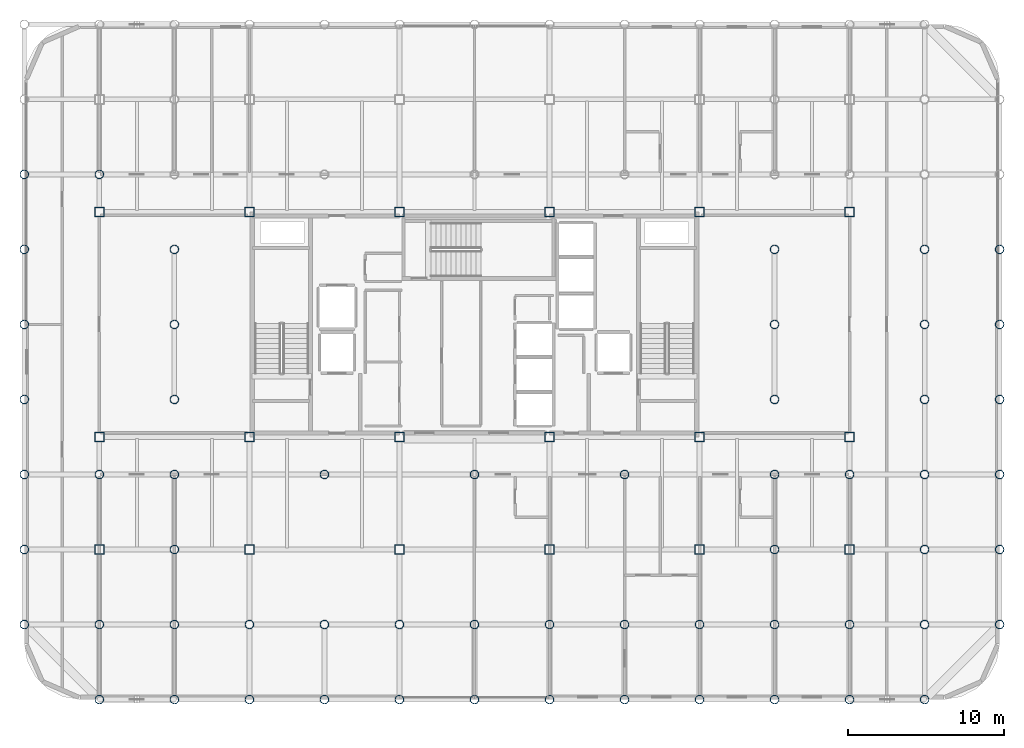
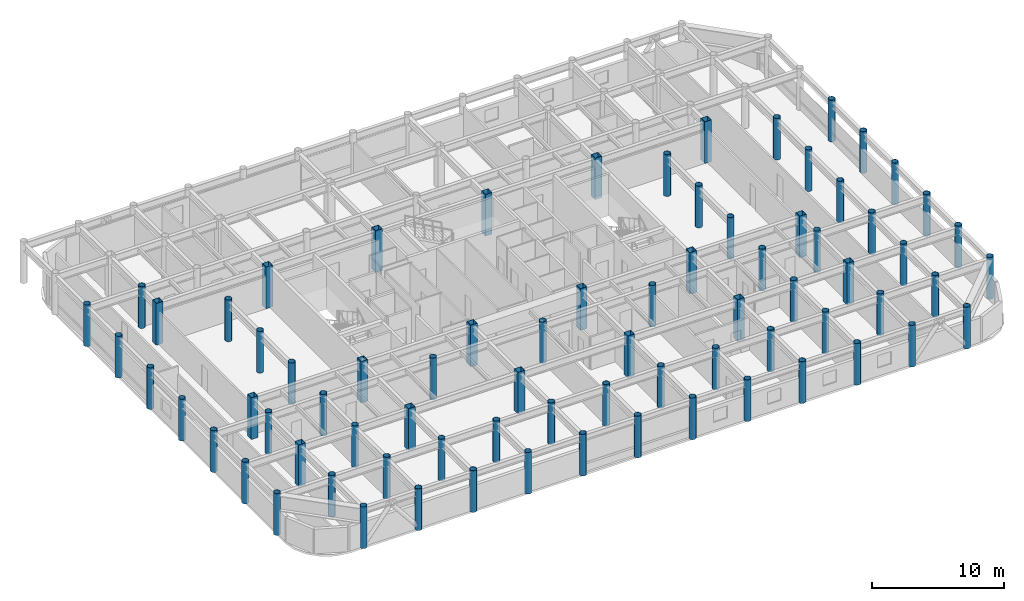
# One storey, part 1 of 22: 76 columns.
"""IFC4 building model written with IfcOpenShell, lengths in metres."""

from ifc_helpers import new_model, si_unit, direction, frame, origin, origin_2d, place, context, subcontext, project, spatial, hollow_rectangle, hollow_circle, extrude, material, material_profile, profile_set, type_object, element, save


model = new_model("IFC4")

# Units and contexts
model_context = context("Model", 3, precision=1e-05, world=origin(), true_north=direction((0.0, 1.0)))
body_context = subcontext(model_context, "Body", "Model", "MODEL_VIEW")
ifc_project = project(units=[si_unit("LENGTHUNIT", "METRE"), si_unit("AREAUNIT", "SQUARE_METRE"), si_unit("VOLUMEUNIT", "CUBIC_METRE"), si_unit("PLANEANGLEUNIT", "RADIAN"), si_unit("MASSUNIT", "GRAM", prefix="KILO")], contexts=[model_context])

# Site, building, storey
site_placement = place(None, origin())
site = spatial("IfcSite", under=ifc_project, at=site_placement, CompositionType="ELEMENT")
building_placement = place(site_placement, origin())
building = spatial("IfcBuilding", under=site, at=building_placement, Name="Kallvorn Hotel Tower", CompositionType="ELEMENT")
storey_placement = place(building_placement, frame((0.0, 0.0, 203.050048828125)))
storey = spatial("IfcBuildingStorey", under=building, at=storey_placement, Name="L50", CompositionType="ELEMENT", Elevation=203.050048828125)

# Columns
ifc_material_1 = material(Name="Structural steel S355J2H", Category="steel")
ifc_material_profile_1 = material_profile(ifc_material_1, hollow_circle(Radius=0.279541015625, WallThickness=0.02490234375, at=origin_2d()), Name="CHS 559x25")
ifc_profile_set_1 = profile_set([ifc_material_profile_1], Name="Structural steel S355J2H")
column_type_1 = type_object("IfcColumnType", Name="COL_CHS_559", PredefinedType="COLUMN", material=ifc_profile_set_1)
for number, where, z_axis, x_axis, name in (
    (1, (-28.800048828125, -19.199951171875, 0.0), (0.0, 0.0, 1.0), (1.0, 0.0, 0.0), "L50 Exoskeleton Column EC01"),
    (2, (-28.800048828125, -14.39990234375, 0.0), (0.0, 0.0, 1.0), (1.0, 0.0, 0.0), "L50 Exoskeleton Column EC02"),
    (3, (-28.800048828125, -9.60009765625, 0.0), (0.0, 0.0, 1.0), (1.0, 0.0, 0.0), "L50 Exoskeleton Column EC03"),
    (4, (-28.800048828125, -4.800048828125, 0.0), (0.0, 0.0, 1.0), (1.0, 0.0, 0.0), "L50 Exoskeleton Column EC04"),
    (5, (-28.800048828125, 0.0, 0.0), (0.0, 0.0, 1.0), (1.0, 0.0, 0.0), "L50 Exoskeleton Column EC05"),
    (6, (-28.800048828125, 4.800048828125, 0.0), (0.0, 0.0, 1.0), (1.0, 0.0, 0.0), "L50 Exoskeleton Column EC06"),
    (7, (-28.800048828125, 9.60009765625, 0.0), (0.0, 0.0, 1.0), (1.0, 0.0, 0.0), "L50 Exoskeleton Column EC07"),
    (8, (-24.0, -24.0, 0.0), (0.0, 0.0, 1.0), (1.0, 0.0, 0.0), "L50 Exoskeleton Column EC10"),
    (9, (-24.0, -19.199951171875, 0.0), (0.0, 0.0, 1.0), (1.0, 0.0, 0.0), "L50 Exoskeleton Column EC11"),
    (10, (-24.0, -9.60009765625, 0.0), (0.0, 0.0, 1.0), (1.0, 0.0, 0.0), "L50 Exoskeleton Column EC12"),
    (11, (-24.0, 9.60009765625, 0.0), (0.0, 0.0, 1.0), (1.0, 0.0, 0.0), "L50 Exoskeleton Column EC13"),
    (12, (-19.199951171875, -24.0, 0.0), (0.0, 0.0, 1.0), (1.0, 0.0, 0.0), "L50 Exoskeleton Column EC15"),
    (13, (-19.199951171875, -19.199951171875, 0.0), (0.0, 0.0, 1.0), (1.0, 0.0, 0.0), "L50 Exoskeleton Column EC16"),
    (14, (-19.199951171875, -14.39990234375, 0.0), (0.0, 0.0, 1.0), (1.0, 0.0, 0.0), "L50 Exoskeleton Column EC17"),
    (15, (-19.199951171875, -9.60009765625, 0.0), (0.0, 0.0, 1.0), (1.0, 0.0, 0.0), "L50 Exoskeleton Column EC18"),
    (16, (-19.199951171875, -4.800048828125, 0.0), (0.0, 0.0, 1.0), (1.0, 0.0, 0.0), "L50 Exoskeleton Column EC19"),
    (17, (-19.199951171875, 0.0, 0.0), (0.0, 0.0, 1.0), (1.0, 0.0, 0.0), "L50 Exoskeleton Column EC20"),
    (18, (-19.199951171875, 4.800048828125, 0.0), (0.0, 0.0, 1.0), (1.0, 0.0, 0.0), "L50 Exoskeleton Column EC21"),
    (19, (-14.39990234375, -24.0, 0.0), (0.0, 0.0, 1.0), (1.0, 0.0, 0.0), "L50 Exoskeleton Column EC25"),
    (20, (-14.39990234375, -19.199951171875, 0.0), (0.0, 0.0, 1.0), (1.0, 0.0, 0.0), "L50 Exoskeleton Column EC26"),
    (21, (-9.60009765625, -24.0, 0.0), (0.0, 0.0, 1.0), (1.0, 0.0, 0.0), "L50 Exoskeleton Column EC28"),
    (22, (-9.60009765625, -19.199951171875, 0.0), (0.0, 0.0, 1.0), (1.0, 0.0, 0.0), "L50 Exoskeleton Column EC29"),
    (23, (-9.60009765625, -9.60009765625, 0.0), (0.0, 0.0, 1.0), (1.0, 0.0, 0.0), "L50 Exoskeleton Column EC30"),
    (24, (-4.800048828125, -24.0, 0.0), (0.0, 0.0, 1.0), (1.0, 0.0, 0.0), "L50 Exoskeleton Column EC33"),
    (25, (-4.800048828125, -19.199951171875, 0.0), (0.0, 0.0, 1.0), (1.0, 0.0, 0.0), "L50 Exoskeleton Column EC34"),
    (26, (0.0, -24.0, 0.0), (0.0, 0.0, 1.0), (1.0, 0.0, 0.0), "L50 Exoskeleton Column EC36"),
    (27, (0.0, -19.199951171875, 0.0), (0.0, 0.0, 1.0), (1.0, 0.0, 0.0), "L50 Exoskeleton Column EC37"),
    (28, (0.0, -9.60009765625, 0.0), (0.0, 0.0, 1.0), (1.0, 0.0, 0.0), "L50 Exoskeleton Column EC38"),
    (29, (4.800048828125, -24.0, 0.0), (0.0, 0.0, 1.0), (1.0, 0.0, 0.0), "L50 Exoskeleton Column EC41"),
    (30, (4.800048828125, -19.199951171875, 0.0), (0.0, 0.0, 1.0), (1.0, 0.0, 0.0), "L50 Exoskeleton Column EC42"),
    (31, (9.60009765625, -24.0, 0.0), (0.0, 0.0, 1.0), (1.0, 0.0, 0.0), "L50 Exoskeleton Column EC44"),
    (32, (9.60009765625, -19.199951171875, 0.0), (0.0, 0.0, 1.0), (1.0, 0.0, 0.0), "L50 Exoskeleton Column EC45"),
    (33, (9.60009765625, -9.60009765625, 0.0), (0.0, 0.0, 1.0), (1.0, 0.0, 0.0), "L50 Exoskeleton Column EC46"),
    (34, (14.39990234375, -24.0, 0.0), (0.0, 0.0, 1.0), (1.0, 0.0, 0.0), "L50 Exoskeleton Column EC49"),
    (35, (14.39990234375, -19.199951171875, 0.0), (0.0, 0.0, 1.0), (1.0, 0.0, 0.0), "L50 Exoskeleton Column EC50"),
    (36, (19.199951171875, -24.0, 0.0), (0.0, 0.0, 1.0), (1.0, 0.0, 0.0), "L50 Exoskeleton Column EC52"),
    (37, (19.199951171875, -19.199951171875, 0.0), (0.0, 0.0, 1.0), (1.0, 0.0, 0.0), "L50 Exoskeleton Column EC53"),
    (38, (19.199951171875, -14.39990234375, 0.0), (0.0, 0.0, 1.0), (1.0, 0.0, 0.0), "L50 Exoskeleton Column EC54"),
    (39, (19.199951171875, -9.60009765625, 0.0), (0.0, 0.0, 1.0), (1.0, 0.0, 0.0), "L50 Exoskeleton Column EC55"),
    (40, (19.199951171875, -4.800048828125, 0.0), (0.0, 0.0, 1.0), (1.0, 0.0, 0.0), "L50 Exoskeleton Column EC56"),
    (41, (19.199951171875, 0.0, 0.0), (0.0, 0.0, 1.0), (1.0, 0.0, 0.0), "L50 Exoskeleton Column EC57"),
    (42, (19.199951171875, 4.800048828125, 0.0), (0.0, 0.0, 1.0), (1.0, 0.0, 0.0), "L50 Exoskeleton Column EC58"),
    (43, (24.0, -24.0, 0.0), (0.0, 0.0, 1.0), (1.0, 0.0, 0.0), "L50 Exoskeleton Column EC62"),
    (44, (24.0, -19.199951171875, 0.0), (0.0, 0.0, 1.0), (1.0, 0.0, 0.0), "L50 Exoskeleton Column EC63"),
    (45, (24.0, -9.60009765625, 0.0), (0.0, 0.0, 1.0), (1.0, 0.0, 0.0), "L50 Exoskeleton Column EC64"),
    (46, (28.800048828125, -24.0, 0.0), (0.0, 0.0, 1.0), (1.0, 0.0, 0.0), "L50 Exoskeleton Column EC67"),
    (47, (28.800048828125, -19.199951171875, 0.0), (0.0, 0.0, 1.0), (1.0, 0.0, 0.0), "L50 Exoskeleton Column EC68"),
    (48, (28.800048828125, -14.39990234375, 0.0), (0.0, 0.0, 1.0), (1.0, 0.0, 0.0), "L50 Exoskeleton Column EC69"),
    (49, (28.800048828125, -9.60009765625, 0.0), (0.0, 0.0, 1.0), (1.0, 0.0, 0.0), "L50 Exoskeleton Column EC70"),
    (50, (28.800048828125, -4.800048828125, 0.0), (0.0, 0.0, 1.0), (1.0, 0.0, 0.0), "L50 Exoskeleton Column EC71"),
    (51, (28.800048828125, 0.0, 0.0), (0.0, 0.0, 1.0), (1.0, 0.0, 0.0), "L50 Exoskeleton Column EC72"),
    (52, (28.800048828125, 4.800048828125, 0.0), (0.0, 0.0, 1.0), (1.0, 0.0, 0.0), "L50 Exoskeleton Column EC73"),
    (53, (33.60009765625, -19.199951171875, 0.0), (0.0, 0.0, 1.0), (1.0, 0.0, 0.0), "L50 Exoskeleton Column EC77"),
    (54, (33.60009765625, -14.39990234375, 0.0), (0.0, 0.0, 1.0), (1.0, 0.0, 0.0), "L50 Exoskeleton Column EC78"),
    (55, (33.60009765625, -9.60009765625, 0.0), (0.0, 0.0, 1.0), (1.0, 0.0, 0.0), "L50 Exoskeleton Column EC79"),
    (56, (33.60009765625, -4.800048828125, 0.0), (0.0, 0.0, 1.0), (1.0, 0.0, 0.0), "L50 Exoskeleton Column EC80"),
    (57, (33.60009765625, 0.0, 0.0), (0.0, 0.0, 1.0), (1.0, 0.0, 0.0), "L50 Exoskeleton Column EC81"),
    (58, (33.60009765625, 4.800048828125, 0.0), (0.0, 0.0, 1.0), (1.0, 0.0, 0.0), "L50 Exoskeleton Column EC82"),
):
    element("IfcColumn", number, at=place(storey_placement, frame(where, z_axis=z_axis, x_axis=x_axis)), inside=storey, type_object=column_type_1, Name=name, PredefinedType="COLUMN", context=body_context, shape_type="SweptSolid", body=[
        extrude(hollow_circle(Radius=0.279541015625, WallThickness=0.02490234375, at=origin_2d()), origin(), (0.0, 0.0, 1.0), 3.849853515625),
    ])
ifc_material_2 = material(Name="Structural steel S355J2H", Category="steel")
ifc_material_profile_2 = material_profile(ifc_material_2, hollow_rectangle(XDim=0.60009765625, YDim=0.60009765625, WallThickness=0.028076171875, at=origin_2d()), Name="RHS 600x600x28")
ifc_profile_set_2 = profile_set([ifc_material_profile_2], Name="Structural steel S355J2H")
column_type_2 = type_object("IfcColumnType", Name="COL_RHS_600", PredefinedType="COLUMN", material=ifc_profile_set_2)
for number, where, z_axis, x_axis, name in (
    (59, (-24.0, -14.39990234375, 0.0), (0.0, 0.0, 1.0), (1.0, 0.0, 0.0), "L50 Inner Column IC01"),
    (60, (-24.0, -7.199951171875, 0.0), (0.0, 0.0, 1.0), (1.0, 0.0, 0.0), "L50 Inner Column IC02"),
    (61, (-24.0, 7.199951171875, 0.0), (0.0, 0.0, 1.0), (1.0, 0.0, 0.0), "L50 Inner Column IC03"),
    (62, (-14.39990234375, -14.39990234375, 0.0), (0.0, 0.0, 1.0), (1.0, 0.0, 0.0), "L50 Inner Column IC05"),
    (63, (-14.39990234375, -7.199951171875, 0.0), (0.0, 0.0, 1.0), (1.0, 0.0, 0.0), "L50 Inner Column IC06"),
    (64, (-14.39990234375, 7.199951171875, 0.0), (0.0, 0.0, 1.0), (1.0, 0.0, 0.0), "L50 Inner Column IC07"),
    (65, (-4.800048828125, -14.39990234375, 0.0), (0.0, 0.0, 1.0), (1.0, 0.0, 0.0), "L50 Inner Column IC09"),
    (66, (-4.800048828125, -7.199951171875, 0.0), (0.0, 0.0, 1.0), (1.0, 0.0, 0.0), "L50 Inner Column IC10"),
    (67, (-4.800048828125, 7.199951171875, 0.0), (0.0, 0.0, 1.0), (1.0, 0.0, 0.0), "L50 Inner Column IC11"),
    (68, (4.800048828125, -14.39990234375, 0.0), (0.0, 0.0, 1.0), (1.0, 0.0, 0.0), "L50 Inner Column IC13"),
    (69, (4.800048828125, -7.199951171875, 0.0), (0.0, 0.0, 1.0), (1.0, 0.0, 0.0), "L50 Inner Column IC14"),
    (70, (4.800048828125, 7.199951171875, 0.0), (0.0, 0.0, 1.0), (1.0, 0.0, 0.0), "L50 Inner Column IC15"),
    (71, (14.39990234375, -14.39990234375, 0.0), (0.0, 0.0, 1.0), (1.0, 0.0, 0.0), "L50 Inner Column IC17"),
    (72, (14.39990234375, -7.199951171875, 0.0), (0.0, 0.0, 1.0), (1.0, 0.0, 0.0), "L50 Inner Column IC18"),
    (73, (14.39990234375, 7.199951171875, 0.0), (0.0, 0.0, 1.0), (1.0, 0.0, 0.0), "L50 Inner Column IC19"),
    (74, (24.0, -14.39990234375, 0.0), (0.0, 0.0, 1.0), (1.0, 0.0, 0.0), "L50 Inner Column IC21"),
    (75, (24.0, -7.199951171875, 0.0), (0.0, 0.0, 1.0), (1.0, 0.0, 0.0), "L50 Inner Column IC22"),
    (76, (24.0, 7.199951171875, 0.0), (0.0, 0.0, 1.0), (1.0, 0.0, 0.0), "L50 Inner Column IC23"),
):
    element("IfcColumn", number, at=place(storey_placement, frame(where, z_axis=z_axis, x_axis=x_axis)), inside=storey, type_object=column_type_2, Name=name, PredefinedType="COLUMN", context=body_context, shape_type="SweptSolid", body=[
        extrude(hollow_rectangle(XDim=0.60009765625, YDim=0.60009765625, WallThickness=0.028076171875, at=origin_2d()), origin(), (0.0, 0.0, 1.0), 3.849853515625),
    ])

save(model, "model.ifc")
